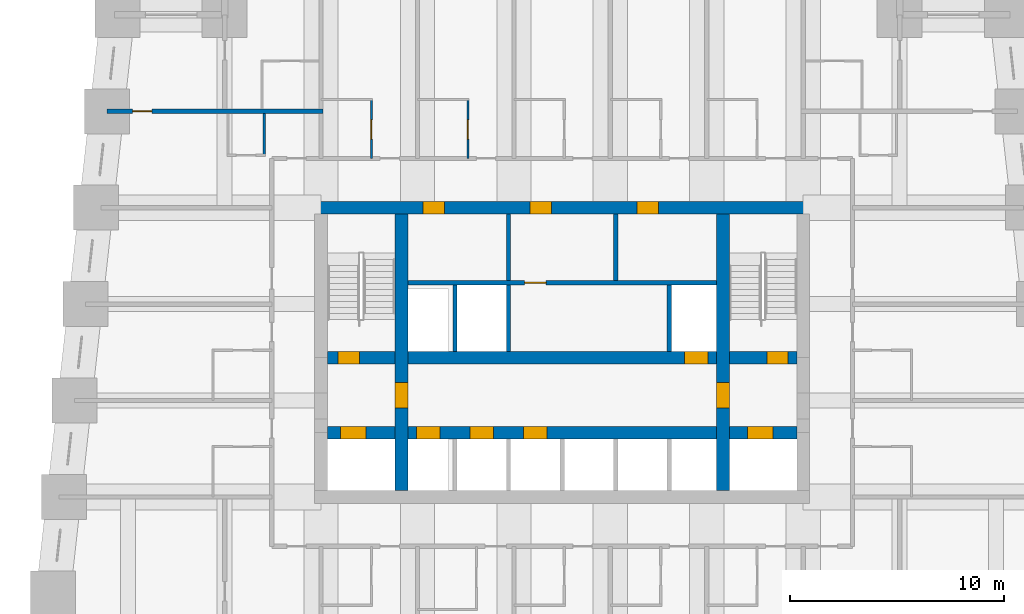
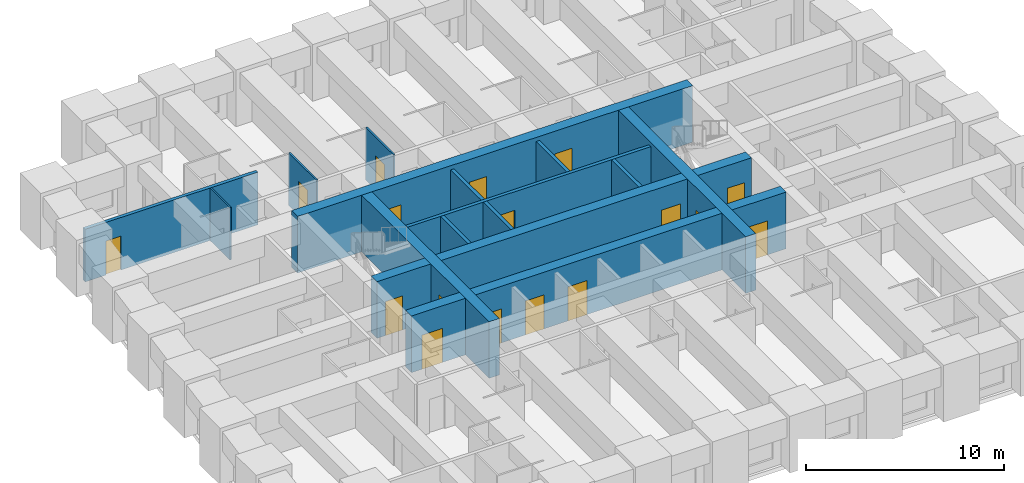
# One storey, part 4 of 8: 17 doors, 15 walls, 17 openings.
"""IFC4 building model written with IfcOpenShell, lengths in metres."""

from ifc_helpers import new_model, si_unit, direction, frame, frame_2d, origin, place, context, subcontext, project, spatial, rectangle, extrude, material, layer, layer_set, type_object, element, fill, save


model = new_model("IFC4")

# Units and contexts
model_context = context("Model", 3, precision=1e-05, world=origin(), true_north=direction((0.0, 1.0)))
body_context = subcontext(model_context, "Body", "Model", "MODEL_VIEW")
ifc_project = project(units=[si_unit("LENGTHUNIT", "METRE"), si_unit("AREAUNIT", "SQUARE_METRE"), si_unit("VOLUMEUNIT", "CUBIC_METRE"), si_unit("PLANEANGLEUNIT", "RADIAN"), si_unit("MASSUNIT", "GRAM", prefix="KILO")], contexts=[model_context])

# Site, building, storey
site_placement = place(None, origin())
site = spatial("IfcSite", under=ifc_project, at=site_placement, CompositionType="ELEMENT")
building_placement = place(site_placement, origin())
building = spatial("IfcBuilding", under=site, at=building_placement, Name="Kilele Tower Hotel", CompositionType="ELEMENT")
storey_placement = place(building_placement, frame((0.0, 0.0, 33.199951171875)))
storey = spatial("IfcBuildingStorey", under=building, at=storey_placement, Name="L06", CompositionType="ELEMENT", Elevation=33.199951171875)

# Wall, opening, door
ifc_material_1 = material(Name="Moisture-resistant board")
ifc_layer_1 = layer(ifc_material_1, 0.10009765625)
ifc_layer_set_1 = layer_set([ifc_layer_1], Name="Moisture-resistant board")
wall_type_1 = type_object("IfcWallType", Name="Bathroom partition 100", PredefinedType="PLUMBINGWALL", material=ifc_layer_set_1)
wall_1_placement = place(storey_placement, frame((15.85009765625, 29.300048828125, 0.0), z_axis=(0.0, 0.0, 1.0), x_axis=(0.0, 1.0, 0.0)))
wall_1 = element("IfcWall", 1, at=wall_1_placement, inside=storey, type_object=wall_type_1, Name="Bathroom partition 100 L06", PredefinedType="PLUMBINGWALL", context=body_context, shape_type="SweptSolid", body=[
    extrude(rectangle(XDim=2.800048828125, YDim=0.10009765625, at=frame_2d((1.39990234375, 0.0))), origin(), (0.0, 0.0, 1.0), 3.25),
])
opening_1_placement = place(wall_1_placement, frame((1.7998046875, 0.0, 0.0), z_axis=(0.0, 0.0, 1.0), x_axis=(-1.0, 0.0, 0.0)))
opening_1 = element("IfcOpeningElement", 2, at=opening_1_placement, cuts=wall_1, Name="Opening D2A", PredefinedType="OPENING", context=body_context, shape_type="SweptSolid", body=[
    extrude(rectangle(XDim=0.89990234375, YDim=2.10009765625, at=frame_2d((0.449951171875, 1.050048828125))), frame((0.0, 0.06005859375, 0.0), z_axis=(0.0, -1.0, 0.0), x_axis=(1.0, 0.0, 0.0)), (0.0, 0.0, 1.0), 0.1201171875),
])
ifc_material_2 = material(Name="Timber door leaf in hardwood frame", Category="wood")
door_type_1 = type_object("IfcDoorType", Name="Bathroom door 900", OperationType="SINGLE_SWING_LEFT", PredefinedType="DOOR", material=ifc_material_2)
door_1_placement = place(opening_1_placement, origin())
door_1 = element("IfcDoor", 3, at=door_1_placement, inside=storey, type_object=door_type_1, Name="Bathroom door 0609B", OperationType="SINGLE_SWING_RIGHT", OverallHeight=2.10009765625, OverallWidth=0.89990234375, PredefinedType="DOOR", context=body_context, shape_type="SweptSolid", body=[
    extrude(rectangle(XDim=0.89990234375, YDim=2.10009765625, at=frame_2d((0.449951171875, 1.050048828125))), frame((0.0, 0.02490234375, 0.0), z_axis=(0.0, -1.0, 0.0), x_axis=(1.0, 0.0, 0.0)), (0.0, 0.0, 1.0), 0.050048828125),
])
fill(opening_1, door_1)

wall_2_placement = place(storey_placement, frame((20.35009765625, 29.300048828125, 0.0), z_axis=(0.0, 0.0, 1.0), x_axis=(0.0, 1.0, 0.0)))
wall_2 = element("IfcWall", 4, at=wall_2_placement, inside=storey, type_object=wall_type_1, Name="Bathroom partition 100 L06", PredefinedType="PLUMBINGWALL", context=body_context, shape_type="SweptSolid", body=[
    extrude(rectangle(XDim=2.800048828125, YDim=0.10009765625, at=frame_2d((1.39990234375, 0.0))), origin(), (0.0, 0.0, 1.0), 3.25),
])
opening_2_placement = place(wall_2_placement, frame((1.7998046875, 0.0, 0.0), z_axis=(0.0, 0.0, 1.0), x_axis=(-1.0, 0.0, 0.0)))
opening_2 = element("IfcOpeningElement", 5, at=opening_2_placement, cuts=wall_2, Name="Opening D2A", PredefinedType="OPENING", context=body_context, shape_type="SweptSolid", body=[
    extrude(rectangle(XDim=0.89990234375, YDim=2.10009765625, at=frame_2d((0.449951171875, 1.050048828125))), frame((0.0, 0.06005859375, 0.0), z_axis=(0.0, -1.0, 0.0), x_axis=(1.0, 0.0, 0.0)), (0.0, 0.0, 1.0), 0.1201171875),
])
door_2_placement = place(opening_2_placement, origin())
door_2 = element("IfcDoor", 6, at=door_2_placement, inside=storey, type_object=door_type_1, Name="Bathroom door 0610B", OperationType="SINGLE_SWING_RIGHT", OverallHeight=2.10009765625, OverallWidth=0.89990234375, PredefinedType="DOOR", context=body_context, shape_type="SweptSolid", body=[
    extrude(rectangle(XDim=0.89990234375, YDim=2.10009765625, at=frame_2d((0.449951171875, 1.050048828125))), frame((0.0, 0.02490234375, 0.0), z_axis=(0.0, -1.0, 0.0), x_axis=(1.0, 0.0, 0.0)), (0.0, 0.0, 1.0), 0.050048828125),
])
fill(opening_2, door_2)

# Wall
wall_3_placement = place(storey_placement, frame((10.85009765625, 31.39990234375, 0.0), z_axis=(0.0, 0.0, 1.0), x_axis=(0.0, -1.0, 0.0)))
element("IfcWall", 7, at=wall_3_placement, inside=storey, type_object=wall_type_1, Name="Bathroom partition 100 L06", PredefinedType="PLUMBINGWALL", context=body_context, shape_type="SweptSolid", body=[
    extrude(rectangle(XDim=2.0, YDim=0.10009765625, at=frame_2d((1.0, 0.0))), origin(), (0.0, 0.0, 1.0), 3.25),
])

# Wall, openings, doors
ifc_material_3 = material(Name="Concrete C60/75", Category="concrete")
ifc_layer_2 = layer(ifc_material_3, 0.60009765625)
ifc_layer_set_2 = layer_set([ifc_layer_2], Name="Concrete C60/75")
wall_type_2 = type_object("IfcWallType", Name="Core wall 600 C60/75", PredefinedType="SHEAR", material=ifc_layer_set_2)
wall_4_placement = place(storey_placement, frame((36.300048828125, 27.0, 0.0), z_axis=(0.0, 0.0, 1.0), x_axis=(-1.0, 0.0, 0.0)))
wall_4 = element("IfcWall", 8, at=wall_4_placement, inside=storey, type_object=wall_type_2, Name="Core wall N L06", PredefinedType="SHEAR", context=body_context, shape_type="SweptSolid", body=[
    extrude(rectangle(XDim=23.10009765625, YDim=0.60009765625, at=frame_2d((11.550048828125, 0.0))), origin(), (0.0, 0.0, 1.0), 3.5),
])
opening_3_placement = place(wall_4_placement, frame((17.050048828125, 0.0, 0.0)))
opening_3 = element("IfcOpeningElement", 9, at=opening_3_placement, cuts=wall_4, Name="Opening D6", PredefinedType="OPENING", context=body_context, shape_type="SweptSolid", body=[
    extrude(rectangle(XDim=1.0, YDim=2.10009765625, at=frame_2d((0.5, 1.050048828125))), frame((0.0, 0.31005859375, 0.0), z_axis=(0.0, -1.0, 0.0), x_axis=(1.0, 0.0, 0.0)), (0.0, 0.0, 1.0), 0.6201171875),
])
opening_4_placement = place(wall_4_placement, frame((12.050048828125, 0.0, 0.0)))
opening_4 = element("IfcOpeningElement", 10, at=opening_4_placement, cuts=wall_4, Name="Opening D6", PredefinedType="OPENING", context=body_context, shape_type="SweptSolid", body=[
    extrude(rectangle(XDim=1.0, YDim=2.10009765625, at=frame_2d((0.5, 1.050048828125))), frame((0.0, 0.31005859375, 0.0), z_axis=(0.0, -1.0, 0.0), x_axis=(1.0, 0.0, 0.0)), (0.0, 0.0, 1.0), 0.6201171875),
])
opening_5_placement = place(wall_4_placement, frame((7.050048828125, 0.0, 0.0)))
opening_5 = element("IfcOpeningElement", 11, at=opening_5_placement, cuts=wall_4, Name="Opening D6", PredefinedType="OPENING", context=body_context, shape_type="SweptSolid", body=[
    extrude(rectangle(XDim=1.0, YDim=2.10009765625, at=frame_2d((0.5, 1.050048828125))), frame((0.0, 0.31005859375, 0.0), z_axis=(0.0, -1.0, 0.0), x_axis=(1.0, 0.0, 0.0)), (0.0, 0.0, 1.0), 0.6201171875),
])
ifc_material_4 = material(Name="Timber door leaf in hardwood frame", Category="wood")
door_type_2 = type_object("IfcDoorType", Name="Riser door 1000", OperationType="SINGLE_SWING_LEFT", PredefinedType="DOOR", material=ifc_material_4)
door_3_placement = place(opening_3_placement, origin())
door_3 = element("IfcDoor", 12, at=door_3_placement, inside=storey, type_object=door_type_2, Name="Service riser door L06", OperationType="SINGLE_SWING_RIGHT", OverallHeight=2.10009765625, OverallWidth=1.0, PredefinedType="DOOR", context=body_context, shape_type="SweptSolid", body=[
    extrude(rectangle(XDim=1.0, YDim=2.10009765625, at=frame_2d((0.5, 1.050048828125))), frame((0.0, 0.2998046875, 0.0), z_axis=(0.0, -1.0, 0.0), x_axis=(1.0, 0.0, 0.0)), (0.0, 0.0, 1.0), 0.599609375),
])
fill(opening_3, door_3)
door_4_placement = place(opening_4_placement, origin())
door_4 = element("IfcDoor", 13, at=door_4_placement, inside=storey, type_object=door_type_2, Name="Linen store door L06", OperationType="SINGLE_SWING_RIGHT", OverallHeight=2.10009765625, OverallWidth=1.0, PredefinedType="DOOR", context=body_context, shape_type="SweptSolid", body=[
    extrude(rectangle(XDim=1.0, YDim=2.10009765625, at=frame_2d((0.5, 1.050048828125))), frame((0.0, 0.2998046875, 0.0), z_axis=(0.0, -1.0, 0.0), x_axis=(1.0, 0.0, 0.0)), (0.0, 0.0, 1.0), 0.599609375),
])
fill(opening_4, door_4)
door_5_placement = place(opening_5_placement, origin())
door_5 = element("IfcDoor", 14, at=door_5_placement, inside=storey, type_object=door_type_2, Name="Electrical riser door L06", OperationType="SINGLE_SWING_RIGHT", OverallHeight=2.10009765625, OverallWidth=1.0, PredefinedType="DOOR", context=body_context, shape_type="SweptSolid", body=[
    extrude(rectangle(XDim=1.0, YDim=2.10009765625, at=frame_2d((0.5, 1.050048828125))), frame((0.0, 0.2998046875, 0.0), z_axis=(0.0, -1.0, 0.0), x_axis=(1.0, 0.0, 0.0)), (0.0, 0.0, 1.0), 0.599609375),
])
fill(opening_5, door_5)

# Wall, opening, door
wall_5_placement = place(storey_placement, frame((17.25, 13.800048828125, 0.0), z_axis=(0.0, 0.0, 1.0), x_axis=(0.0, 1.0, 0.0)))
wall_5 = element("IfcWall", 15, at=wall_5_placement, inside=storey, type_object=wall_type_2, Name="Core wall IW L06", PredefinedType="SHEAR", context=body_context, shape_type="SweptSolid", body=[
    extrude(rectangle(XDim=12.89990234375, YDim=0.60009765625, at=frame_2d((6.449951171875, 0.0))), origin(), (0.0, 0.0, 1.0), 3.5),
])
opening_6_placement = place(wall_5_placement, frame((3.85009765625, 0.0, 0.0)))
opening_6 = element("IfcOpeningElement", 16, at=opening_6_placement, cuts=wall_5, Name="Opening D4", PredefinedType="OPENING", context=body_context, shape_type="SweptSolid", body=[
    extrude(rectangle(XDim=1.199951171875, YDim=2.10009765625, at=frame_2d((0.60009765625, 1.050048828125))), frame((0.0, 0.31005859375, 0.0), z_axis=(0.0, -1.0, 0.0), x_axis=(1.0, 0.0, 0.0)), (0.0, 0.0, 1.0), 0.6201171875),
])
ifc_material_5 = material(Name="Timber door leaf in hardwood frame", Category="wood")
door_type_3 = type_object("IfcDoorType", Name="Firefighting lobby door 1200", OperationType="SINGLE_SWING_LEFT", PredefinedType="DOOR", material=ifc_material_5)
door_6_placement = place(opening_6_placement, origin())
door_6 = element("IfcDoor", 17, at=door_6_placement, inside=storey, type_object=door_type_3, Name="Lobby door L06", OperationType="SINGLE_SWING_LEFT", OverallHeight=2.10009765625, OverallWidth=1.199951171875, PredefinedType="DOOR", context=body_context, shape_type="SweptSolid", body=[
    extrude(rectangle(XDim=1.199951171875, YDim=2.10009765625, at=frame_2d((0.60009765625, 1.050048828125))), frame((0.0, 0.2998046875, 0.0), z_axis=(0.0, -1.0, 0.0), x_axis=(1.0, 0.0, 0.0)), (0.0, 0.0, 1.0), 0.599609375),
])
fill(opening_6, door_6)

wall_6_placement = place(storey_placement, frame((32.25, 13.800048828125, 0.0), z_axis=(0.0, 0.0, 1.0), x_axis=(0.0, 1.0, 0.0)))
wall_6 = element("IfcWall", 18, at=wall_6_placement, inside=storey, type_object=wall_type_2, Name="Core wall IE L06", PredefinedType="SHEAR", context=body_context, shape_type="SweptSolid", body=[
    extrude(rectangle(XDim=12.89990234375, YDim=0.60009765625, at=frame_2d((6.449951171875, 0.0))), origin(), (0.0, 0.0, 1.0), 3.5),
])
opening_7_placement = place(wall_6_placement, frame((5.050048828125, 0.0, 0.0), z_axis=(0.0, 0.0, 1.0), x_axis=(-1.0, 0.0, 0.0)))
opening_7 = element("IfcOpeningElement", 19, at=opening_7_placement, cuts=wall_6, Name="Opening D4", PredefinedType="OPENING", context=body_context, shape_type="SweptSolid", body=[
    extrude(rectangle(XDim=1.199951171875, YDim=2.10009765625, at=frame_2d((0.60009765625, 1.050048828125))), frame((0.0, 0.31005859375, 0.0), z_axis=(0.0, -1.0, 0.0), x_axis=(1.0, 0.0, 0.0)), (0.0, 0.0, 1.0), 0.6201171875),
])
door_7_placement = place(opening_7_placement, origin())
door_7 = element("IfcDoor", 20, at=door_7_placement, inside=storey, type_object=door_type_3, Name="Lobby door L06", OperationType="SINGLE_SWING_RIGHT", OverallHeight=2.10009765625, OverallWidth=1.199951171875, PredefinedType="DOOR", context=body_context, shape_type="SweptSolid", body=[
    extrude(rectangle(XDim=1.199951171875, YDim=2.10009765625, at=frame_2d((0.60009765625, 1.050048828125))), frame((0.0, 0.2998046875, 0.0), z_axis=(0.0, -1.0, 0.0), x_axis=(1.0, 0.0, 0.0)), (0.0, 0.0, 1.0), 0.599609375),
])
fill(opening_7, door_7)

# Wall, openings, doors
wall_7_placement = place(storey_placement, frame((13.800048828125, 16.5, 0.0), z_axis=(0.0, 0.0, 1.0), x_axis=(1.0, 0.0, 0.0)))
wall_7 = element("IfcWall", 21, at=wall_7_placement, inside=storey, type_object=wall_type_2, Name="Core wall LS L06", PredefinedType="SHEAR", context=body_context, shape_type="SweptSolid", body=[
    extrude(rectangle(XDim=21.89990234375, YDim=0.60009765625, at=frame_2d((10.949951171875, 0.0))), origin(), (0.0, 0.0, 1.0), 3.5),
])
opening_8_placement = place(wall_7_placement, frame((4.14990234375, 0.0, 0.0)))
opening_8 = element("IfcOpeningElement", 22, at=opening_8_placement, cuts=wall_7, Name="Opening LD1", PredefinedType="OPENING", context=body_context, shape_type="SweptSolid", body=[
    extrude(rectangle(XDim=1.10009765625, YDim=2.10009765625, at=frame_2d((0.550048828125, 1.050048828125))), frame((0.0, 0.31005859375, 0.0), z_axis=(0.0, -1.0, 0.0), x_axis=(1.0, 0.0, 0.0)), (0.0, 0.0, 1.0), 0.6201171875),
])
opening_9_placement = place(wall_7_placement, frame((6.64990234375, 0.0, 0.0)))
opening_9 = element("IfcOpeningElement", 23, at=opening_9_placement, cuts=wall_7, Name="Opening LD1", PredefinedType="OPENING", context=body_context, shape_type="SweptSolid", body=[
    extrude(rectangle(XDim=1.10009765625, YDim=2.10009765625, at=frame_2d((0.550048828125, 1.050048828125))), frame((0.0, 0.31005859375, 0.0), z_axis=(0.0, -1.0, 0.0), x_axis=(1.0, 0.0, 0.0)), (0.0, 0.0, 1.0), 0.6201171875),
])
opening_10_placement = place(wall_7_placement, frame((9.14990234375, 0.0, 0.0)))
opening_10 = element("IfcOpeningElement", 24, at=opening_10_placement, cuts=wall_7, Name="Opening LD1", PredefinedType="OPENING", context=body_context, shape_type="SweptSolid", body=[
    extrude(rectangle(XDim=1.10009765625, YDim=2.10009765625, at=frame_2d((0.550048828125, 1.050048828125))), frame((0.0, 0.31005859375, 0.0), z_axis=(0.0, -1.0, 0.0), x_axis=(1.0, 0.0, 0.0)), (0.0, 0.0, 1.0), 0.6201171875),
])
opening_11_placement = place(wall_7_placement, frame((0.60009765625, 0.0, 0.0)))
opening_11 = element("IfcOpeningElement", 25, at=opening_11_placement, cuts=wall_7, Name="Opening LD2", PredefinedType="OPENING", context=body_context, shape_type="SweptSolid", body=[
    extrude(rectangle(XDim=1.199951171875, YDim=2.10009765625, at=frame_2d((0.60009765625, 1.050048828125))), frame((0.0, 0.31005859375, 0.0), z_axis=(0.0, -1.0, 0.0), x_axis=(1.0, 0.0, 0.0)), (0.0, 0.0, 1.0), 0.6201171875),
])
opening_12_placement = place(wall_7_placement, frame((19.60009765625, 0.0, 0.0)))
opening_12 = element("IfcOpeningElement", 26, at=opening_12_placement, cuts=wall_7, Name="Opening LD2", PredefinedType="OPENING", context=body_context, shape_type="SweptSolid", body=[
    extrude(rectangle(XDim=1.199951171875, YDim=2.10009765625, at=frame_2d((0.60009765625, 1.050048828125))), frame((0.0, 0.31005859375, 0.0), z_axis=(0.0, -1.0, 0.0), x_axis=(1.0, 0.0, 0.0)), (0.0, 0.0, 1.0), 0.6201171875),
])
ifc_material_6 = material(Name="Steel lift landing door", Category="steel")
door_type_4 = type_object("IfcDoorType", Name="Firefighting lift landing door 1200", OperationType="SLIDING_TO_LEFT", PredefinedType="DOOR", material=ifc_material_6)
door_8_placement = place(opening_11_placement, origin())
door_8 = element("IfcDoor", 27, at=door_8_placement, inside=storey, type_object=door_type_4, Name="Landing door FFW L06", OperationType="SLIDING_TO_LEFT", OverallHeight=2.10009765625, OverallWidth=1.199951171875, PredefinedType="DOOR", context=body_context, shape_type="SweptSolid", body=[
    extrude(rectangle(XDim=1.199951171875, YDim=2.10009765625, at=frame_2d((0.60009765625, 1.050048828125))), frame((0.0, 0.2998046875, 0.0), z_axis=(0.0, -1.0, 0.0), x_axis=(1.0, 0.0, 0.0)), (0.0, 0.0, 1.0), 0.599609375),
])
fill(opening_11, door_8)
door_9_placement = place(opening_12_placement, origin())
door_9 = element("IfcDoor", 28, at=door_9_placement, inside=storey, type_object=door_type_4, Name="Landing door FFE L06", OperationType="SLIDING_TO_LEFT", OverallHeight=2.10009765625, OverallWidth=1.199951171875, PredefinedType="DOOR", context=body_context, shape_type="SweptSolid", body=[
    extrude(rectangle(XDim=1.199951171875, YDim=2.10009765625, at=frame_2d((0.60009765625, 1.050048828125))), frame((0.0, 0.2998046875, 0.0), z_axis=(0.0, -1.0, 0.0), x_axis=(1.0, 0.0, 0.0)), (0.0, 0.0, 1.0), 0.599609375),
])
fill(opening_12, door_9)
ifc_material_7 = material(Name="Steel lift landing door", Category="steel")
door_type_5 = type_object("IfcDoorType", Name="Lift landing door 1100", OperationType="SLIDING_TO_LEFT", PredefinedType="DOOR", material=ifc_material_7)
door_10_placement = place(opening_8_placement, origin())
door_10 = element("IfcDoor", 29, at=door_10_placement, inside=storey, type_object=door_type_5, Name="Landing door L1 L06", OperationType="SLIDING_TO_LEFT", OverallHeight=2.10009765625, OverallWidth=1.10009765625, PredefinedType="DOOR", context=body_context, shape_type="SweptSolid", body=[
    extrude(rectangle(XDim=1.10009765625, YDim=2.10009765625, at=frame_2d((0.550048828125, 1.050048828125))), frame((0.0, 0.2998046875, 0.0), z_axis=(0.0, -1.0, 0.0), x_axis=(1.0, 0.0, 0.0)), (0.0, 0.0, 1.0), 0.599609375),
])
fill(opening_8, door_10)
door_11_placement = place(opening_9_placement, origin())
door_11 = element("IfcDoor", 30, at=door_11_placement, inside=storey, type_object=door_type_5, Name="Landing door L2 L06", OperationType="SLIDING_TO_LEFT", OverallHeight=2.10009765625, OverallWidth=1.10009765625, PredefinedType="DOOR", context=body_context, shape_type="SweptSolid", body=[
    extrude(rectangle(XDim=1.10009765625, YDim=2.10009765625, at=frame_2d((0.550048828125, 1.050048828125))), frame((0.0, 0.2998046875, 0.0), z_axis=(0.0, -1.0, 0.0), x_axis=(1.0, 0.0, 0.0)), (0.0, 0.0, 1.0), 0.599609375),
])
fill(opening_9, door_11)
door_12_placement = place(opening_10_placement, origin())
door_12 = element("IfcDoor", 31, at=door_12_placement, inside=storey, type_object=door_type_5, Name="Landing door L3 L06", OperationType="SLIDING_TO_LEFT", OverallHeight=2.10009765625, OverallWidth=1.10009765625, PredefinedType="DOOR", context=body_context, shape_type="SweptSolid", body=[
    extrude(rectangle(XDim=1.10009765625, YDim=2.10009765625, at=frame_2d((0.550048828125, 1.050048828125))), frame((0.0, 0.2998046875, 0.0), z_axis=(0.0, -1.0, 0.0), x_axis=(1.0, 0.0, 0.0)), (0.0, 0.0, 1.0), 0.599609375),
])
fill(opening_10, door_12)

wall_8_placement = place(storey_placement, frame((13.800048828125, 20.0, 0.0), z_axis=(0.0, 0.0, 1.0), x_axis=(1.0, 0.0, 0.0)))
wall_8 = element("IfcWall", 32, at=wall_8_placement, inside=storey, type_object=wall_type_2, Name="Core wall LN L06", PredefinedType="SHEAR", context=body_context, shape_type="SweptSolid", body=[
    extrude(rectangle(XDim=21.89990234375, YDim=0.60009765625, at=frame_2d((10.949951171875, 0.0))), origin(), (0.0, 0.0, 1.0), 3.5),
])
opening_13_placement = place(wall_8_placement, frame((0.5, 0.0, 0.0)))
opening_13 = element("IfcOpeningElement", 33, at=opening_13_placement, cuts=wall_8, Name="Opening D5", PredefinedType="OPENING", context=body_context, shape_type="SweptSolid", body=[
    extrude(rectangle(XDim=1.0, YDim=2.10009765625, at=frame_2d((0.5, 1.050048828125))), frame((0.0, 0.31005859375, 0.0), z_axis=(0.0, -1.0, 0.0), x_axis=(1.0, 0.0, 0.0)), (0.0, 0.0, 1.0), 0.6201171875),
])
opening_14_placement = place(wall_8_placement, frame((20.5, 0.0, 0.0)))
opening_14 = element("IfcOpeningElement", 34, at=opening_14_placement, cuts=wall_8, Name="Opening D5", PredefinedType="OPENING", context=body_context, shape_type="SweptSolid", body=[
    extrude(rectangle(XDim=1.0, YDim=2.10009765625, at=frame_2d((0.5, 1.050048828125))), frame((0.0, 0.31005859375, 0.0), z_axis=(0.0, -1.0, 0.0), x_axis=(1.0, 0.0, 0.0)), (0.0, 0.0, 1.0), 0.6201171875),
])
opening_15_placement = place(wall_8_placement, frame((16.64990234375, 0.0, 0.0)))
opening_15 = element("IfcOpeningElement", 35, at=opening_15_placement, cuts=wall_8, Name="Opening LD1", PredefinedType="OPENING", context=body_context, shape_type="SweptSolid", body=[
    extrude(rectangle(XDim=1.10009765625, YDim=2.10009765625, at=frame_2d((0.550048828125, 1.050048828125))), frame((0.0, 0.31005859375, 0.0), z_axis=(0.0, -1.0, 0.0), x_axis=(1.0, 0.0, 0.0)), (0.0, 0.0, 1.0), 0.6201171875),
])
door_13_placement = place(opening_15_placement, origin())
door_13 = element("IfcDoor", 36, at=door_13_placement, inside=storey, type_object=door_type_5, Name="Landing door G1 L06", OperationType="SLIDING_TO_LEFT", OverallHeight=2.10009765625, OverallWidth=1.10009765625, PredefinedType="DOOR", context=body_context, shape_type="SweptSolid", body=[
    extrude(rectangle(XDim=1.10009765625, YDim=2.10009765625, at=frame_2d((0.550048828125, 1.050048828125))), frame((0.0, 0.2998046875, 0.0), z_axis=(0.0, -1.0, 0.0), x_axis=(1.0, 0.0, 0.0)), (0.0, 0.0, 1.0), 0.599609375),
])
fill(opening_15, door_13)
ifc_material_8 = material(Name="Timber door leaf in hardwood frame", Category="wood")
door_type_6 = type_object("IfcDoorType", Name="Stair door 1000", OperationType="SINGLE_SWING_LEFT", PredefinedType="DOOR", material=ifc_material_8)
door_14_placement = place(opening_13_placement, origin())
door_14 = element("IfcDoor", 37, at=door_14_placement, inside=storey, type_object=door_type_6, Name="Stair 1 door L06", OperationType="SINGLE_SWING_LEFT", OverallHeight=2.10009765625, OverallWidth=1.0, PredefinedType="DOOR", context=body_context, shape_type="SweptSolid", body=[
    extrude(rectangle(XDim=1.0, YDim=2.10009765625, at=frame_2d((0.5, 1.050048828125))), frame((0.0, 0.2998046875, 0.0), z_axis=(0.0, -1.0, 0.0), x_axis=(1.0, 0.0, 0.0)), (0.0, 0.0, 1.0), 0.599609375),
])
fill(opening_13, door_14)
door_15_placement = place(opening_14_placement, origin())
door_15 = element("IfcDoor", 38, at=door_15_placement, inside=storey, type_object=door_type_6, Name="Stair 2 door L06", OperationType="SINGLE_SWING_RIGHT", OverallHeight=2.10009765625, OverallWidth=1.0, PredefinedType="DOOR", context=body_context, shape_type="SweptSolid", body=[
    extrude(rectangle(XDim=1.0, YDim=2.10009765625, at=frame_2d((0.5, 1.050048828125))), frame((0.0, 0.2998046875, 0.0), z_axis=(0.0, -1.0, 0.0), x_axis=(1.0, 0.0, 0.0)), (0.0, 0.0, 1.0), 0.599609375),
])
fill(opening_14, door_15)

# Wall, opening, door
ifc_material_9 = material(Name="Blockwork, plastered both sides", Category="masonry")
ifc_layer_3 = layer(ifc_material_9, 0.199951171875)
ifc_layer_set_3 = layer_set([ifc_layer_3], Name="Blockwork, plastered both sides")
wall_type_3 = type_object("IfcWallType", Name="Party wall 200", PredefinedType="PARTITIONING", material=ifc_layer_set_3)
wall_9_placement = place(storey_placement, frame((13.60009765625, 31.5, 0.0), z_axis=(0.0, 0.0, 1.0), x_axis=(-1.0, 0.0, 0.0)))
wall_9 = element("IfcWall", 39, at=wall_9_placement, inside=storey, type_object=wall_type_3, Name="Party wall 200 L06", PredefinedType="PARTITIONING", context=body_context, shape_type="SweptSolid", body=[
    extrude(rectangle(XDim=10.09912109375, YDim=0.199951171875, at=frame_2d((5.049560546875, 0.0))), origin(), (0.0, 0.0, 1.0), 3.25),
])
opening_16_placement = place(wall_9_placement, frame((8.89892578125, 0.0, 0.0), z_axis=(0.0, 0.0, 1.0), x_axis=(-1.0, 0.0, 0.0)))
opening_16 = element("IfcOpeningElement", 40, at=opening_16_placement, cuts=wall_9, Name="Opening D3", PredefinedType="OPENING", context=body_context, shape_type="SweptSolid", body=[
    extrude(rectangle(XDim=0.89990234375, YDim=2.10009765625, at=frame_2d((0.449951171875, 1.050048828125))), frame((0.0, 0.10986328125, 0.0), z_axis=(0.0, -1.0, 0.0), x_axis=(1.0, 0.0, 0.0)), (0.0, 0.0, 1.0), 0.219970703125),
])
ifc_material_10 = material(Name="Timber door leaf in hardwood frame", Category="wood")
door_type_7 = type_object("IfcDoorType", Name="Suite internal door 900", OperationType="SINGLE_SWING_LEFT", PredefinedType="DOOR", material=ifc_material_10)
door_16_placement = place(opening_16_placement, origin())
door_16 = element("IfcDoor", 41, at=door_16_placement, inside=storey, type_object=door_type_7, Name="Suite door 0627", OperationType="SINGLE_SWING_LEFT", OverallHeight=2.10009765625, OverallWidth=0.89990234375, PredefinedType="DOOR", context=body_context, shape_type="SweptSolid", body=[
    extrude(rectangle(XDim=0.89990234375, YDim=2.10009765625, at=frame_2d((0.449951171875, 1.050048828125))), frame((0.0, 0.02490234375, 0.0), z_axis=(0.0, -1.0, 0.0), x_axis=(1.0, 0.0, 0.0)), (0.0, 0.0, 1.0), 0.050048828125),
])
fill(opening_16, door_16)

# Walls
ifc_material_11 = material(Name="Blockwork, fire-rated", Category="masonry")
ifc_layer_4 = layer(ifc_material_11, 0.199951171875)
ifc_layer_set_4 = layer_set([ifc_layer_4], Name="Blockwork, fire-rated")
wall_type_4 = type_object("IfcWallType", Name="Shaft wall 200", PredefinedType="PARTITIONING", material=ifc_layer_set_4)
for number, where, z_axis, x_axis, name in (
    (42, (19.75, 20.300048828125, 0.0), (0.0, 0.0, 1.0), (0.0, 1.0, 0.0), "Shaft wall 200 L06"),
    (43, (22.25, 20.300048828125, 0.0), (0.0, 0.0, 1.0), (0.0, 1.0, 0.0), "Shaft wall 200 L06"),
    (44, (29.75, 20.300048828125, 0.0), (0.0, 0.0, 1.0), (0.0, 1.0, 0.0), "Shaft wall 200 L06"),
):
    element("IfcWall", number, at=place(storey_placement, frame(where, z_axis=z_axis, x_axis=x_axis)), inside=storey, type_object=wall_type_4, Name=name, PredefinedType="PARTITIONING", context=body_context, shape_type="SweptSolid", body=[
        extrude(rectangle(XDim=3.099853515625, YDim=0.199951171875, at=frame_2d((1.5498046875, 0.0))), origin(), (0.0, 0.0, 1.0), 3.25),
    ])

# Wall, opening, door
wall_10_placement = place(storey_placement, frame((17.550048828125, 23.5, 0.0), z_axis=(0.0, 0.0, 1.0), x_axis=(1.0, 0.0, 0.0)))
wall_10 = element("IfcWall", 45, at=wall_10_placement, inside=storey, type_object=wall_type_4, Name="Shaft wall 200 L06", PredefinedType="PARTITIONING", context=body_context, shape_type="SweptSolid", body=[
    extrude(rectangle(XDim=14.39990234375, YDim=0.199951171875, at=frame_2d((7.199951171875, 0.0))), origin(), (0.0, 0.0, 1.0), 3.25),
])
opening_17_placement = place(wall_10_placement, frame((5.449951171875, 0.0, 0.0)))
opening_17 = element("IfcOpeningElement", 46, at=opening_17_placement, cuts=wall_10, Name="Opening D11", PredefinedType="OPENING", context=body_context, shape_type="SweptSolid", body=[
    extrude(rectangle(XDim=1.0, YDim=2.10009765625, at=frame_2d((0.5, 1.050048828125))), frame((0.0, 0.10986328125, 0.0), z_axis=(0.0, -1.0, 0.0), x_axis=(1.0, 0.0, 0.0)), (0.0, 0.0, 1.0), 0.219970703125),
])
ifc_material_12 = material(Name="Timber door leaf in hardwood frame", Category="wood")
door_type_8 = type_object("IfcDoorType", Name="Core store door 1000", OperationType="SINGLE_SWING_LEFT", PredefinedType="DOOR", material=ifc_material_12)
door_17_placement = place(opening_17_placement, origin())
door_17 = element("IfcDoor", 47, at=door_17_placement, inside=storey, type_object=door_type_8, Name="Core room door H1", OperationType="SINGLE_SWING_LEFT", OverallHeight=2.10009765625, OverallWidth=1.0, PredefinedType="DOOR", context=body_context, shape_type="SweptSolid", body=[
    extrude(rectangle(XDim=1.0, YDim=2.10009765625, at=frame_2d((0.5, 1.050048828125))), frame((0.0, 0.02490234375, 0.0), z_axis=(0.0, -1.0, 0.0), x_axis=(1.0, 0.0, 0.0)), (0.0, 0.0, 1.0), 0.050048828125),
])
fill(opening_17, door_17)

# Walls
for number, where, z_axis, x_axis, name in (
    (48, (22.25, 23.60009765625, 0.0), (0.0, 0.0, 1.0), (0.0, 1.0, 0.0), "Shaft wall 200 L06"),
    (49, (27.25, 23.60009765625, 0.0), (0.0, 0.0, 1.0), (0.0, 1.0, 0.0), "Shaft wall 200 L06"),
):
    element("IfcWall", number, at=place(storey_placement, frame(where, z_axis=z_axis, x_axis=x_axis)), inside=storey, type_object=wall_type_4, Name=name, PredefinedType="PARTITIONING", context=body_context, shape_type="SweptSolid", body=[
        extrude(rectangle(XDim=3.099853515625, YDim=0.199951171875, at=frame_2d((1.5498046875, 0.0))), origin(), (0.0, 0.0, 1.0), 3.25),
    ])

save(model, "model.ifc")
